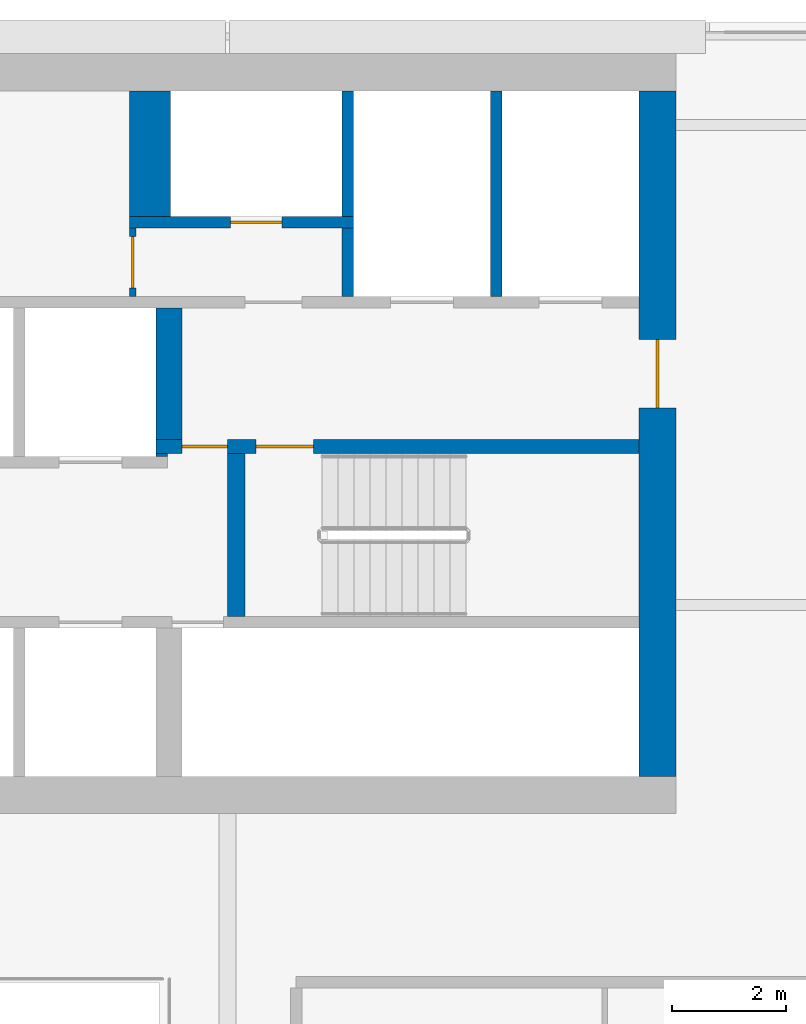
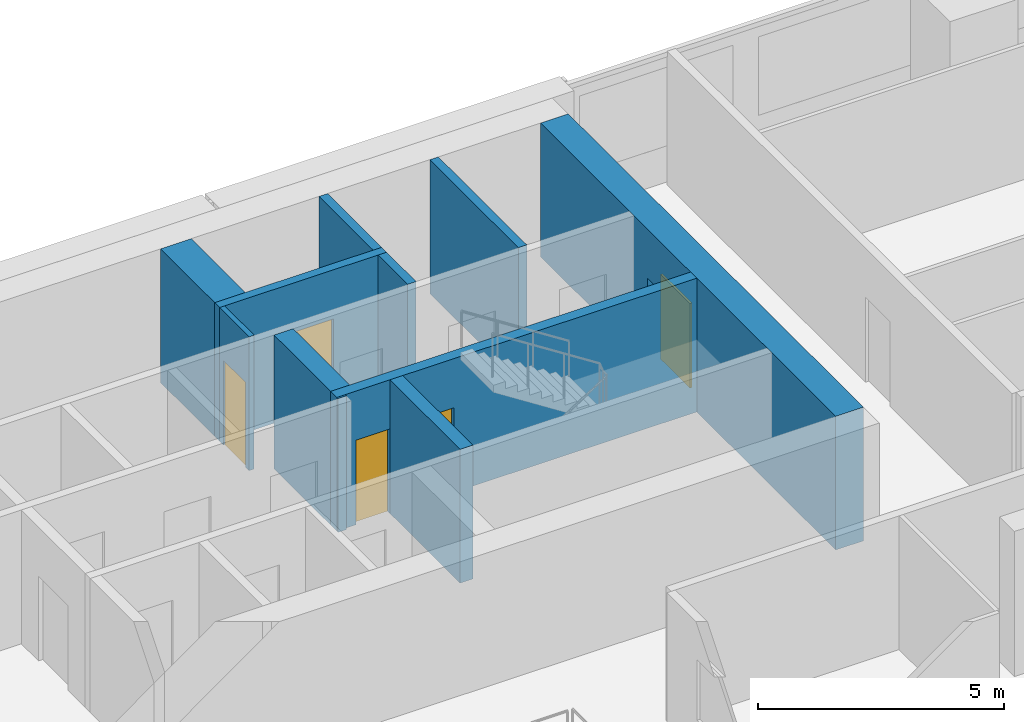
# One storey, part 22 of 28: 11 walls, 5 doors, 5 openings.
"""IFC4 building model written with IfcOpenShell, lengths in metres."""

from ifc_helpers import new_model, si_unit, direction, frame, frame_2d, origin, place, context, subcontext, project, spatial, rectangle, extrude, material, layer, layer_set, type_object, element, fill, save


model = new_model("IFC4")

# Units and contexts
model_context = context("Model", 3, precision=1e-05, world=origin(), true_north=direction((0.0, 1.0)))
body_context = subcontext(model_context, "Body", "Model", "MODEL_VIEW")
ifc_project = project(units=[si_unit("LENGTHUNIT", "METRE"), si_unit("AREAUNIT", "SQUARE_METRE"), si_unit("VOLUMEUNIT", "CUBIC_METRE"), si_unit("PLANEANGLEUNIT", "RADIAN"), si_unit("MASSUNIT", "GRAM", prefix="KILO")], contexts=[model_context])

# Site, building, storey
site_placement = place(None, origin())
site = spatial("IfcSite", under=ifc_project, at=site_placement, CompositionType="ELEMENT")
building_placement = place(site_placement, origin())
building = spatial("IfcBuilding", under=site, at=building_placement, Name="Saffron Gate Tower", CompositionType="ELEMENT")
storey_placement = place(building_placement, frame((0.0, 0.0, 241.5)))
storey = spatial("IfcBuildingStorey", under=building, at=storey_placement, Name="L59", CompositionType="ELEMENT", Elevation=241.5)

# Wall, openings, doors
ifc_material_1 = material(Name="Concrete C60", Category="concrete")
ifc_layer_1 = layer(ifc_material_1, 0.25)
ifc_layer_set_1 = layer_set([ifc_layer_1], Name="CW14 RC core wall 250 C60")
wall_type_1 = type_object("IfcWallType", Name="CW14 RC core wall 250 C60", PredefinedType="SOLIDWALL", material=ifc_layer_set_1)
wall_1_placement = place(storey_placement, frame((98.949951171875, 68.175048828125, 0.0), z_axis=(0.0, 0.0, 1.0), x_axis=(1.0, 0.0, 0.0)))
wall_1 = element("IfcWall", 1, at=wall_1_placement, inside=storey, type_object=wall_type_1, Name="Wall CW14-L59-30", PredefinedType="SOLIDWALL", context=body_context, shape_type="SweptSolid", body=[
    extrude(rectangle(XDim=8.449951171875, YDim=0.25, at=frame_2d((4.22509765625, 0.0))), origin(), (0.0, 0.0, 1.0), 3.320068359375),
])
opening_1_placement = place(wall_1_placement, frame((0.449951171875, 0.0, 0.0)))
opening_1 = element("IfcOpeningElement", 2, at=opening_1_placement, cuts=wall_1, Name="Opening CR-05", PredefinedType="OPENING", context=body_context, shape_type="SweptSolid", body=[
    extrude(rectangle(XDim=0.800048828125, YDim=2.10009765625, at=frame_2d((0.39990234375, 1.050048828125))), frame((0.0, 0.135009765625, 0.0), z_axis=(0.0, -1.0, 0.0), x_axis=(1.0, 0.0, 0.0)), (0.0, 0.0, 1.0), 0.27001953125),
])
opening_2_placement = place(wall_1_placement, frame((1.75, 0.0, 0.0)))
opening_2 = element("IfcOpeningElement", 3, at=opening_2_placement, cuts=wall_1, Name="Opening CR-16", PredefinedType="OPENING", context=body_context, shape_type="SweptSolid", body=[
    extrude(rectangle(XDim=1.0, YDim=2.10009765625, at=frame_2d((0.5, 1.050048828125))), frame((0.0, 0.135009765625, 0.0), z_axis=(0.0, -1.0, 0.0), x_axis=(1.0, 0.0, 0.0)), (0.0, 0.0, 1.0), 0.27001953125),
])
ifc_material_2 = material(Name="Steel fire door set", Category="steel")
door_type_1 = type_object("IfcDoorType", Name="CD5 Stair door 1000x2100 EI 120", OperationType="NOTDEFINED", PredefinedType="DOOR", material=ifc_material_2)
door_1_placement = place(opening_2_placement, origin())
door_1 = element("IfcDoor", 4, at=door_1_placement, inside=storey, type_object=door_type_1, Name="DOOR CR-16", OperationType="SINGLE_SWING_RIGHT", OverallHeight=2.10009765625, OverallWidth=1.0, PredefinedType="DOOR", context=body_context, shape_type="SweptSolid", body=[
    extrude(rectangle(XDim=1.0, YDim=2.10009765625, at=frame_2d((0.5, 1.050048828125))), frame((0.0, 0.02490234375, 0.0), z_axis=(0.0, -1.0, 0.0), x_axis=(1.0, 0.0, 0.0)), (0.0, 0.0, 1.0), 0.050048828125),
])
fill(opening_2, door_1)
door_type_2 = type_object("IfcDoorType", Name="CD6 Lobby door 800x2100 EI 120", OperationType="NOTDEFINED", PredefinedType="DOOR", material=ifc_material_2)
door_2_placement = place(opening_1_placement, origin())
door_2 = element("IfcDoor", 5, at=door_2_placement, inside=storey, type_object=door_type_2, Name="DOOR CR-05", OperationType="SINGLE_SWING_LEFT", OverallHeight=2.10009765625, OverallWidth=0.800048828125, PredefinedType="DOOR", context=body_context, shape_type="SweptSolid", body=[
    extrude(rectangle(XDim=0.800048828125, YDim=2.10009765625, at=frame_2d((0.39990234375, 1.050048828125))), frame((0.0, 0.02490234375, 0.0), z_axis=(0.0, -1.0, 0.0), x_axis=(1.0, 0.0, 0.0)), (0.0, 0.0, 1.0), 0.050048828125),
])
fill(opening_1, door_2)

# Walls
ifc_layer_2 = layer(ifc_material_1, 0.199951171875)
ifc_layer_set_2 = layer_set([ifc_layer_2], Name="CW15 RC core wall 200 C60")
wall_type_2 = type_object("IfcWallType", Name="CW15 RC core wall 200 C60", PredefinedType="SOLIDWALL", material=ifc_layer_set_2)
wall_2_placement = place(storey_placement, frame((102.300048828125, 70.800048828125, 0.0), z_axis=(0.0, 0.0, 1.0), x_axis=(0.0, 1.0, 0.0)))
element("IfcWall", 6, at=wall_2_placement, inside=storey, type_object=wall_type_2, Name="Wall CW15-L59-40", PredefinedType="SOLIDWALL", context=body_context, shape_type="SweptSolid", body=[
    extrude(rectangle(XDim=1.199951171875, YDim=0.199951171875, at=frame_2d((0.60009765625, 0.0))), origin(), (0.0, 0.0, 1.0), 3.320068359375),
])
wall_3_placement = place(storey_placement, frame((104.89990234375, 70.800048828125, 0.0), z_axis=(0.0, 0.0, 1.0), x_axis=(0.0, 1.0, 0.0)))
element("IfcWall", 7, at=wall_3_placement, inside=storey, type_object=wall_type_2, Name="Wall CW15-L59-41", PredefinedType="SOLIDWALL", context=body_context, shape_type="SweptSolid", body=[
    extrude(rectangle(XDim=3.599853515625, YDim=0.199951171875, at=frame_2d((1.7998046875, 0.0))), origin(), (0.0, 0.0, 1.0), 3.320068359375),
])

# Wall, opening, door
wall_4_placement = place(storey_placement, frame((98.47998046875, 72.10009765625, 0.0), z_axis=(0.0, 0.0, 1.0), x_axis=(1.0, 0.0, 0.0)))
wall_4 = element("IfcWall", 8, at=wall_4_placement, inside=storey, type_object=wall_type_2, Name="Wall CW15-L59-43", PredefinedType="SOLIDWALL", context=body_context, shape_type="SweptSolid", body=[
    extrude(rectangle(XDim=3.919921875, YDim=0.199951171875, at=frame_2d((1.9599609375, 0.0))), origin(), (0.0, 0.0, 1.0), 3.320068359375),
])
opening_3_placement = place(wall_4_placement, frame((1.77001953125, 0.0, 0.0)))
opening_3 = element("IfcOpeningElement", 9, at=opening_3_placement, cuts=wall_4, Name="Opening CR-70", PredefinedType="OPENING", context=body_context, shape_type="SweptSolid", body=[
    extrude(rectangle(XDim=0.89990234375, YDim=2.10009765625, at=frame_2d((0.449951171875, 1.050048828125))), frame((0.0, 0.10986328125, 0.0), z_axis=(0.0, -1.0, 0.0), x_axis=(1.0, 0.0, 0.0)), (0.0, 0.0, 1.0), 0.219970703125),
])
door_type_3 = type_object("IfcDoorType", Name="CD2 Riser door 900x2100 EI 60", OperationType="NOTDEFINED", PredefinedType="DOOR", material=ifc_material_2)
door_3_placement = place(opening_3_placement, origin())
door_3 = element("IfcDoor", 10, at=door_3_placement, inside=storey, type_object=door_type_3, Name="DOOR CR-70", OperationType="SINGLE_SWING_LEFT", OverallHeight=2.10009765625, OverallWidth=0.89990234375, PredefinedType="DOOR", context=body_context, shape_type="SweptSolid", body=[
    extrude(rectangle(XDim=0.89990234375, YDim=2.10009765625, at=frame_2d((0.449951171875, 1.050048828125))), frame((0.0, 0.02490234375, 0.0), z_axis=(0.0, -1.0, 0.0), x_axis=(1.0, 0.0, 0.0)), (0.0, 0.0, 1.0), 0.050048828125),
])
fill(opening_3, door_3)

# Walls
wall_5_placement = place(storey_placement, frame((102.300048828125, 72.199951171875, 0.0), z_axis=(0.0, 0.0, 1.0), x_axis=(0.0, 1.0, 0.0)))
element("IfcWall", 11, at=wall_5_placement, inside=storey, type_object=wall_type_2, Name="Wall CW15-L59-48", PredefinedType="SOLIDWALL", context=body_context, shape_type="SweptSolid", body=[
    extrude(rectangle(XDim=2.199951171875, YDim=0.199951171875, at=frame_2d((1.10009765625, 0.0))), origin(), (0.0, 0.0, 1.0), 3.320068359375),
])
ifc_layer_3 = layer(ifc_material_1, 0.449951171875)
ifc_layer_set_3 = layer_set([ifc_layer_3], Name="CW16 RC core wall 450 C60")
wall_type_3 = type_object("IfcWallType", Name="CW16 RC core wall 450 C60", PredefinedType="SOLIDWALL", material=ifc_layer_set_3)
wall_6_placement = place(storey_placement, frame((99.175048828125, 68.300048828125, 0.0), z_axis=(0.0, 0.0, 1.0), x_axis=(0.0, 1.0, 0.0)))
element("IfcWall", 12, at=wall_6_placement, inside=storey, type_object=wall_type_3, Name="Wall CW16-L59-32", PredefinedType="SOLIDWALL", context=body_context, shape_type="SweptSolid", body=[
    extrude(rectangle(XDim=2.300048828125, YDim=0.449951171875, at=frame_2d((1.14990234375, 0.0))), origin(), (0.0, 0.0, 1.0), 3.320068359375),
])
ifc_layer_4 = layer(ifc_material_1, 0.300048828125)
ifc_layer_set_4 = layer_set([ifc_layer_4], Name="CW17 RC core wall 300 C60")
wall_type_4 = type_object("IfcWallType", Name="CW17 RC core wall 300 C60", PredefinedType="SOLIDWALL", material=ifc_layer_set_4)
wall_7_placement = place(storey_placement, frame((100.35009765625, 65.199951171875, 0.0), z_axis=(0.0, 0.0, 1.0), x_axis=(0.0, 1.0, 0.0)))
element("IfcWall", 13, at=wall_7_placement, inside=storey, type_object=wall_type_4, Name="Wall CW17-L59-18", PredefinedType="SOLIDWALL", context=body_context, shape_type="SweptSolid", body=[
    extrude(rectangle(XDim=2.85009765625, YDim=0.300048828125, at=frame_2d((1.425048828125, 0.0))), origin(), (0.0, 0.0, 1.0), 3.320068359375),
])
ifc_layer_5 = layer(ifc_material_1, 0.050048828125)
ifc_layer_set_5 = layer_set([ifc_layer_5], Name="CW18 RC core wall 50 C60")
wall_type_5 = type_object("IfcWallType", Name="CW18 RC core wall 50 C60", PredefinedType="SOLIDWALL", material=ifc_layer_set_5)
wall_8_placement = place(storey_placement, frame((98.949951171875, 68.02490234375, 0.0), z_axis=(0.0, 0.0, 1.0), x_axis=(1.0, 0.0, 0.0)))
element("IfcWall", 14, at=wall_8_placement, inside=storey, type_object=wall_type_5, Name="Wall CW18-L59-28", PredefinedType="SOLIDWALL", context=body_context, shape_type="SweptSolid", body=[
    extrude(rectangle(XDim=0.199951171875, YDim=0.050048828125, at=frame_2d((0.10009765625, 0.0))), origin(), (0.0, 0.0, 1.0), 3.320068359375),
])

# Wall, opening, door
ifc_layer_6 = layer(ifc_material_1, 0.64990234375)
ifc_layer_set_6 = layer_set([ifc_layer_6], Name="CW20 RC core wall 650 C60")
wall_type_6 = type_object("IfcWallType", Name="CW20 RC core wall 650 C60", PredefinedType="SOLIDWALL", material=ifc_layer_set_6)
wall_9_placement = place(storey_placement, frame((107.72509765625, 62.39990234375, 0.0), z_axis=(0.0, 0.0, 1.0), x_axis=(0.0, 1.0, 0.0)))
wall_9 = element("IfcWall", 15, at=wall_9_placement, inside=storey, type_object=wall_type_6, Name="Wall CW20-L59-4", PredefinedType="SOLIDWALL", context=body_context, shape_type="SweptSolid", body=[
    extrude(rectangle(XDim=12.0, YDim=0.64990234375, at=frame_2d((6.0, 0.0))), origin(), (0.0, 0.0, 1.0), 3.320068359375),
])
opening_4_placement = place(wall_9_placement, frame((6.449951171875, 0.0, 0.0)))
opening_4 = element("IfcOpeningElement", 16, at=opening_4_placement, cuts=wall_9, Name="Opening CR-08", PredefinedType="OPENING", context=body_context, shape_type="SweptSolid", body=[
    extrude(rectangle(XDim=1.199951171875, YDim=2.10009765625, at=frame_2d((0.60009765625, 1.050048828125))), frame((0.0, 0.3349609375, 0.0), z_axis=(0.0, -1.0, 0.0), x_axis=(1.0, 0.0, 0.0)), (0.0, 0.0, 1.0), 0.669921875),
])
door_type_4 = type_object("IfcDoorType", Name="CD7 Core entrance door 1200x2100 EI 120", OperationType="NOTDEFINED", PredefinedType="DOOR", material=ifc_material_2)
door_4_placement = place(opening_4_placement, origin())
door_4 = element("IfcDoor", 17, at=door_4_placement, inside=storey, type_object=door_type_4, Name="DOOR CR-08", OperationType="SINGLE_SWING_RIGHT", OverallHeight=2.10009765625, OverallWidth=1.199951171875, PredefinedType="DOOR", context=body_context, shape_type="SweptSolid", body=[
    extrude(rectangle(XDim=1.199951171875, YDim=2.10009765625, at=frame_2d((0.60009765625, 1.050048828125))), frame((0.0, 0.02490234375, 0.0), z_axis=(0.0, -1.0, 0.0), x_axis=(1.0, 0.0, 0.0)), (0.0, 0.0, 1.0), 0.050048828125),
])
fill(opening_4, door_4)

# Wall
ifc_layer_7 = layer(ifc_material_1, 0.719970703125)
ifc_layer_set_7 = layer_set([ifc_layer_7], Name="CW21 RC core wall 720 C60")
wall_type_7 = type_object("IfcWallType", Name="CW21 RC core wall 720 C60", PredefinedType="SOLIDWALL", material=ifc_layer_set_7)
wall_10_placement = place(storey_placement, frame((98.840087890625, 72.199951171875, 0.0), z_axis=(0.0, 0.0, 1.0), x_axis=(0.0, 1.0, 0.0)))
element("IfcWall", 18, at=wall_10_placement, inside=storey, type_object=wall_type_7, Name="Wall CW21-L59-47", PredefinedType="SOLIDWALL", context=body_context, shape_type="SweptSolid", body=[
    extrude(rectangle(XDim=2.199951171875, YDim=0.719970703125, at=frame_2d((1.10009765625, 0.0))), origin(), (0.0, 0.0, 1.0), 3.320068359375),
])

# Wall, opening, door
ifc_material_3 = material(Name="Gypsum board partition on steel studs", Category="steel")
ifc_layer_8 = layer(ifc_material_3, 0.1201171875)
ifc_layer_set_8 = layer_set([ifc_layer_8], Name="CW8 Core partition 120")
wall_type_8 = type_object("IfcWallType", Name="CW8 Core partition 120", PredefinedType="PARTITIONING", material=ifc_layer_set_8)
wall_11_placement = place(storey_placement, frame((98.5400390625, 70.800048828125, 0.0), z_axis=(0.0, 0.0, 1.0), x_axis=(0.0, 1.0, 0.0)))
wall_11 = element("IfcWall", 19, at=wall_11_placement, inside=storey, type_object=wall_type_8, Name="Wall CW8-L59-39", PredefinedType="PARTITIONING", context=body_context, shape_type="SweptSolid", body=[
    extrude(rectangle(XDim=1.199951171875, YDim=0.1201171875, at=frame_2d((0.60009765625, 0.0))), origin(), (0.0, 0.0, 1.0), 3.320068359375),
])
opening_5_placement = place(wall_11_placement, frame((0.14990234375, 0.0, 0.0)))
opening_5 = element("IfcOpeningElement", 20, at=opening_5_placement, cuts=wall_11, Name="Opening CR-54", PredefinedType="OPENING", context=body_context, shape_type="SweptSolid", body=[
    extrude(rectangle(XDim=0.89990234375, YDim=2.10009765625, at=frame_2d((0.449951171875, 1.050048828125))), frame((0.0, 0.070068359375, 0.0), z_axis=(0.0, -1.0, 0.0), x_axis=(1.0, 0.0, 0.0)), (0.0, 0.0, 1.0), 0.14013671875),
])
door_type_5 = type_object("IfcDoorType", Name="CD9 Room door 900x2100 EI 60", OperationType="NOTDEFINED", PredefinedType="DOOR", material=ifc_material_2)
door_5_placement = place(opening_5_placement, origin())
door_5 = element("IfcDoor", 21, at=door_5_placement, inside=storey, type_object=door_type_5, Name="DOOR CR-54", OperationType="SINGLE_SWING_LEFT", OverallHeight=2.10009765625, OverallWidth=0.89990234375, PredefinedType="DOOR", context=body_context, shape_type="SweptSolid", body=[
    extrude(rectangle(XDim=0.89990234375, YDim=2.10009765625, at=frame_2d((0.449951171875, 1.050048828125))), frame((0.0, 0.02490234375, 0.0), z_axis=(0.0, -1.0, 0.0), x_axis=(1.0, 0.0, 0.0)), (0.0, 0.0, 1.0), 0.050048828125),
])
fill(opening_5, door_5)

save(model, "model.ifc")
